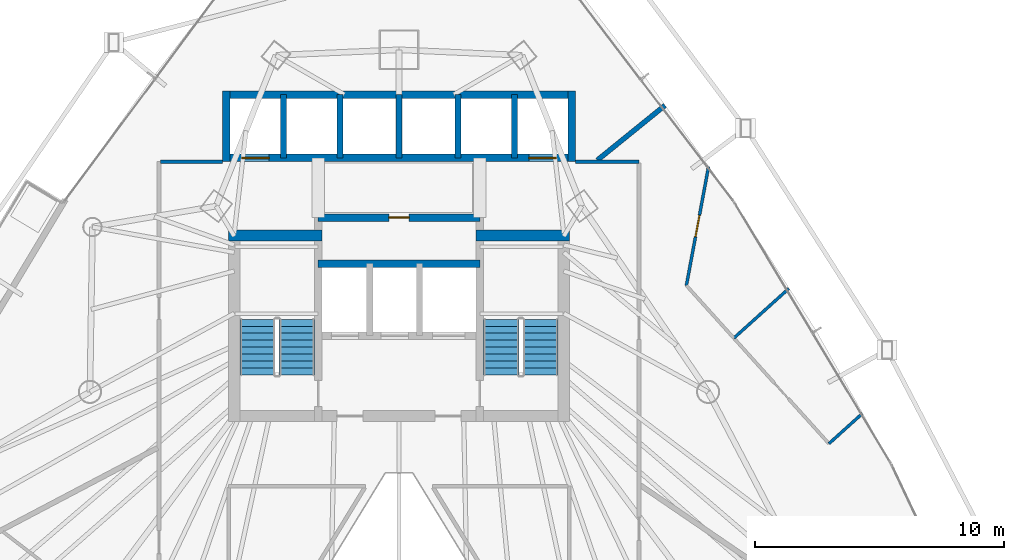
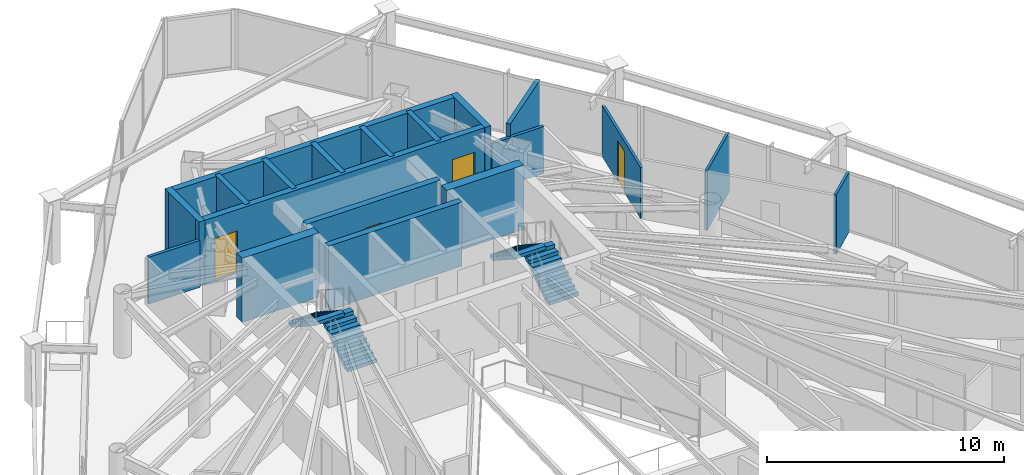
# One storey, part 31 of 34: 19 walls, 4 doors, 4 stair flights, 4 openings, 2 elements without a shape of their own.
"""IFC4 building model written with IfcOpenShell, lengths in metres."""

import ifcopenshell
import ifcopenshell.guid

model = None  # the IFC model being written
_history = None  # IfcOwnerHistory: only IFC2X3 demands one
_inside = {}  # id of a spatial element -> (the spatial element, [elements in it])
_under = {}  # id of a project, library or spatial element -> (it, [spatial elements below it])
_declared = {}  # id of a project -> (the project, [libraries it declares])
_typed = {}  # id of a type object -> (the type object, [elements of that type])
_made_of = {}  # id of a material, layer set ... -> (it, [elements and type objects made of it])


def new_model(schema):
    """Start an empty IFC model of exactly this schema.

    Asked for "IFC4X3", IfcOpenShell would pick the latest addendum, in which some entities
    have other attributes; the version numbers below select the first issue.
    IFC2X3 requires an IfcOwnerHistory on every rooted entity: one is made here for all.
    """
    global model, _history
    if schema == "IFC4X3":
        model = ifcopenshell.file(schema_version=(4, 3, 0, 0))
    else:
        model = ifcopenshell.file(schema=schema)
    _inside.clear()
    _under.clear()
    _declared.clear()
    _typed.clear()
    _made_of.clear()
    _history = None
    if model.schema == "IFC2X3":
        org = make("IfcOrganization", Name="unknown")
        user = make(
            "IfcPersonAndOrganization",
            ThePerson=make("IfcPerson", FamilyName="unknown"),
            TheOrganization=org,
        )
        app = make(
            "IfcApplication",
            ApplicationDeveloper=org,
            Version="unknown",
            ApplicationFullName="unknown",
            ApplicationIdentifier="unknown",
        )
        _history = make(
            "IfcOwnerHistory",
            OwningUser=user,
            OwningApplication=app,
            ChangeAction="ADDED",
            CreationDate=0,
        )
    return model


def make(cls, **values):
    """One entity of the class cls with the attributes given. An attribute that is None is left unset."""
    return model.create_entity(
        cls, **{name: value for name, value in values.items() if value is not None}
    )


def rooted(cls, **values):
    """An entity with a GlobalId (a new one), such as an element, a storey or a relation."""
    return make(cls, GlobalId=ifcopenshell.guid.new(), OwnerHistory=_history, **values)


def si_unit(unit_type, name, prefix=None):
    """IfcSIUnit, for example si_unit("LENGTHUNIT", "METRE", prefix="MILLI")."""
    return make("IfcSIUnit", UnitType=unit_type, Prefix=prefix, Name=name)


def assignment(units):
    """IfcUnitAssignment: the units of a project."""
    return None if units is None else make("IfcUnitAssignment", Units=units)


def point(xyz):
    """IfcCartesianPoint."""
    return None if xyz is None else make("IfcCartesianPoint", Coordinates=xyz)


def direction(xyz):
    """IfcDirection."""
    return None if xyz is None else make("IfcDirection", DirectionRatios=xyz)


def frame(location, z_axis=None, x_axis=None):
    """IfcAxis2Placement3D, a coordinate frame: its origin and axes. An axis left out is left unset."""
    return make(
        "IfcAxis2Placement3D",
        Location=point(location),
        Axis=direction(z_axis),
        RefDirection=direction(x_axis),
    )


def frame_2d(location, x_axis=None):
    """IfcAxis2Placement2D, a coordinate frame in the plane: its origin and x axis."""
    return make(
        "IfcAxis2Placement2D", Location=point(location), RefDirection=direction(x_axis)
    )


def origin():
    """The frame at (0, 0, 0) with its axes left unset."""
    return frame((0.0, 0.0, 0.0))


def place(relative_to, where):
    """IfcLocalPlacement: puts the frame where relative to a parent placement (None: the world)."""
    return make(
        "IfcLocalPlacement", PlacementRelTo=relative_to, RelativePlacement=where
    )


def context(
    kind, dimensions, precision=None, world=None, true_north=None, identifier=None
):
    """IfcGeometricRepresentationContext, for example the 3D "Model" context."""
    return make(
        "IfcGeometricRepresentationContext",
        ContextIdentifier=identifier,
        ContextType=kind,
        CoordinateSpaceDimension=dimensions,
        Precision=precision,
        WorldCoordinateSystem=world,
        TrueNorth=true_north,
    )


def subcontext(parent, identifier, kind, view, scale=None):
    """IfcGeometricRepresentationSubContext, for example "Body" below "Model"."""
    return make(
        "IfcGeometricRepresentationSubContext",
        ContextIdentifier=identifier,
        ContextType=kind,
        ParentContext=parent,
        TargetScale=scale,
        TargetView=view,
    )


def project(units=None, contexts=None):
    """IfcProject with its units and contexts."""
    return rooted(
        "IfcProject",
        Name="project",
        RepresentationContexts=contexts,
        UnitsInContext=assignment(units),
    )


def spatial(cls, under=None, at=None, **own):
    """A site, building, storey or space (cls), placed at a placement, below another one or the project."""
    s = rooted(cls, ObjectPlacement=at, **own)
    if under is not None:
        _under.setdefault(under.id(), (under, []))[1].append(s)
    return s


def polyline(points):
    """IfcPolyline through the points."""
    return make("IfcPolyline", Points=[point(p) for p in points])


def profile(cls, at=None, kind="AREA", **sizes):
    """A parametric profile (cls). Its sizes go by their IFC names, for example OverallWidth=200.0."""
    return make(cls, ProfileType=kind, Position=at, **sizes)


def rectangle(**sizes):
    """IfcRectangleProfileDef."""
    return profile("IfcRectangleProfileDef", **sizes)


def outline(outer, holes=None, kind="AREA"):
    """IfcArbitraryClosedProfileDef: a profile drawn as a closed curve; with holes, ...WithVoids."""
    if holes is None:
        return make("IfcArbitraryClosedProfileDef", ProfileType=kind, OuterCurve=outer)
    return make(
        "IfcArbitraryProfileDefWithVoids",
        ProfileType=kind,
        OuterCurve=outer,
        InnerCurves=holes,
    )


def extrude(swept, where, along, depth):
    """IfcExtrudedAreaSolid: the profile swept, set in the frame where, extruded along a direction by depth."""
    return make(
        "IfcExtrudedAreaSolid",
        SweptArea=swept,
        Position=where,
        ExtrudedDirection=direction(along),
        Depth=depth,
    )


def shape(context_of_items, identifier, shape_type, items):
    """IfcShapeRepresentation: the items that make up one representation, for example the "Body"."""
    return make(
        "IfcShapeRepresentation",
        ContextOfItems=context_of_items,
        RepresentationIdentifier=identifier,
        RepresentationType=shape_type,
        Items=items,
    )


def material(Name=None, Category=None):
    """IfcMaterial."""
    return make("IfcMaterial", Name=Name, Category=Category)


def layer(
    of_material, thickness, ventilated=None, Name=None, Category=None, Priority=None
):
    """IfcMaterialLayer: one layer of a wall or slab, of a material (None: an air gap)."""
    return make(
        "IfcMaterialLayer",
        Material=of_material,
        LayerThickness=thickness,
        IsVentilated=ventilated,
        Name=Name,
        Category=Category,
        Priority=Priority,
    )


def layer_set(layers, Name=None):
    """IfcMaterialLayerSet."""
    return make("IfcMaterialLayerSet", MaterialLayers=layers, LayerSetName=Name)


def made_of(thing, what):
    """Note that an element or type object is made of a material, layer set ...; save() writes the relation."""
    if what is not None:
        _made_of.setdefault(what.id(), (what, []))[1].append(thing)
    return thing


def type_object(cls, material=None, **own):
    """A type object (cls), such as IfcWallType, which elements share."""
    return made_of(rooted(cls, **own), material)


def element(
    cls,
    number,
    at=None,
    inside=None,
    cuts=None,
    type_object=None,
    material=None,
    context=None,
    identifier="Body",
    shape_type=None,
    held_by="IfcProductDefinitionShape",
    body=None,
    shapes=None,
    **own,
):
    """One element of the class cls, such as IfcWall. Its Tag is "e" and its number.

    at: its placement. inside: the storey or other place that contains it. cuts: it is an
    opening in that element (IfcRelVoidsElement). A single representation is given by context,
    identifier, shape_type and body (its items); several are given by shapes. held_by: the class
    of the entity that holds the representations. save() writes the other relations.
    """
    e = rooted(cls, Tag="e%d" % number, ObjectPlacement=at, **own)
    if body is not None:
        shapes = [shape(context, identifier, shape_type, body)]
    if shapes is not None:
        e.Representation = make(held_by, Representations=shapes)
    if inside is not None:
        _inside.setdefault(inside.id(), (inside, []))[1].append(e)
    if cuts is not None:
        rooted(
            "IfcRelVoidsElement", RelatingBuildingElement=cuts, RelatedOpeningElement=e
        )
    if type_object is not None:
        _typed.setdefault(type_object.id(), (type_object, []))[1].append(e)
    return made_of(e, material)


def fill(opening, filler):
    """IfcRelFillsElement: the door or window that sits in an opening."""
    return rooted(
        "IfcRelFillsElement",
        RelatingOpeningElement=opening,
        RelatedBuildingElement=filler,
    )


def aggregate(whole, parts):
    """IfcRelAggregates: a whole, such as a stair, and the parts it consists of."""
    return rooted("IfcRelAggregates", RelatingObject=whole, RelatedObjects=parts)


def save(model, path):
    """Write the relations noted so far, then the file.

    IfcRelAggregates (storeys below a building ...), IfcRelContainedInSpatialStructure (elements
    in a storey), IfcRelDefinesByType, IfcRelAssociatesMaterial and IfcRelDeclares: one each for
    every whole, place, type object, material and project.
    """
    for whole, parts in _under.values():
        aggregate(whole, parts)
    for where, things in _inside.values():
        rooted(
            "IfcRelContainedInSpatialStructure",
            RelatedElements=things,
            RelatingStructure=where,
        )
    for kind, things in _typed.values():
        rooted("IfcRelDefinesByType", RelatedObjects=things, RelatingType=kind)
    for what, things in _made_of.values():
        rooted("IfcRelAssociatesMaterial", RelatedObjects=things, RelatingMaterial=what)
    for by, libraries in _declared.values():
        rooted("IfcRelDeclares", RelatingContext=by, RelatedDefinitions=libraries)
    model.write(path)


model = new_model("IFC4")

# Units and contexts
model_context = context("Model", 3, precision=1e-05, world=origin(), true_north=direction((0.0, 1.0)))
body_context = subcontext(model_context, "Body", "Model", "MODEL_VIEW")
ifc_project = project(units=[si_unit("LENGTHUNIT", "METRE"), si_unit("AREAUNIT", "SQUARE_METRE"), si_unit("VOLUMEUNIT", "CUBIC_METRE"), si_unit("PLANEANGLEUNIT", "RADIAN"), si_unit("MASSUNIT", "GRAM", prefix="KILO")], contexts=[model_context])

# Site, building, storey
site_placement = place(None, origin())
site = spatial("IfcSite", under=ifc_project, at=site_placement, CompositionType="ELEMENT")
building_placement = place(site_placement, origin())
building = spatial("IfcBuilding", under=site, at=building_placement, Name="Orvanel Arch Residences", CompositionType="ELEMENT")
storey_placement = place(building_placement, frame((0.0, 0.0, 80.75)))
storey = spatial("IfcBuildingStorey", under=building, at=storey_placement, Name="L22", CompositionType="ELEMENT", Elevation=80.75)

# Walls
ifc_material_1 = material(Name="Concrete N50 (50 MPa)", Category="concrete")
ifc_layer_1 = layer(ifc_material_1, 0.25)
ifc_layer_set_1 = layer_set([ifc_layer_1], Name="Concrete N50 (50 MPa)")
wall_type_1 = type_object("IfcWallType", Name="SW-CORE-250", PredefinedType="SHEAR", material=ifc_layer_set_1)
for number, where, z_axis, x_axis, name in (
    (1, (28.35009765625, 37.050048828125, 0.0), (0.0, 0.0, 1.0), (0.0, 1.0, 0.0), "L22 Passenger Lift Inter-Shaft Wall P13"),
    (2, (30.625, 37.050048828125, 0.0), (0.0, 0.0, 1.0), (0.0, 1.0, 0.0), "L22 Passenger Lift Inter-Shaft Wall P35"),
    (3, (33.0, 37.050048828125, 0.0), (0.0, 0.0, 1.0), (0.0, 1.0, 0.0), "L22 Passenger Lift Inter-Shaft Wall P56"),
    (4, (35.375, 37.050048828125, 0.0), (0.0, 0.0, 1.0), (0.0, 1.0, 0.0), "L22 Passenger Lift Inter-Shaft Wall P64"),
    (5, (37.64990234375, 37.050048828125, 0.0), (0.0, 0.0, 1.0), (0.0, 1.0, 0.0), "L22 Passenger Lift Inter-Shaft Wall P42"),
):
    element("IfcWall", number, at=place(storey_placement, frame(where, z_axis=z_axis, x_axis=x_axis)), inside=storey, type_object=wall_type_1, Name=name, PredefinedType="SHEAR", context=body_context, shape_type="SweptSolid", body=[
        extrude(rectangle(XDim=2.550048828125, YDim=0.25, at=frame_2d((1.27490234375, 0.0))), origin(), (0.0, 0.0, 1.0), 3.300048828125),
    ])
ifc_material_2 = material(Name="Concrete S80 (80 MPa)", Category="concrete")
ifc_layer_2 = layer(ifc_material_2, 0.300048828125)
ifc_layer_set_2 = layer_set([ifc_layer_2], Name="Concrete S80 (80 MPa)")
wall_type_2 = type_object("IfcWallType", Name="SW-CORE-300", PredefinedType="SHEAR", material=ifc_layer_set_2)
wall_1_placement = place(storey_placement, frame((29.75, 32.800048828125, 0.0), z_axis=(0.0, 0.0, 1.0), x_axis=(1.0, 0.0, 0.0)))
element("IfcWall", 6, at=wall_1_placement, inside=storey, type_object=wall_type_2, Name="L22 Emergency Lift Back Core Shear Wall", PredefinedType="SHEAR", context=body_context, shape_type="SweptSolid", body=[
    extrude(rectangle(XDim=6.5, YDim=0.300048828125, at=frame_2d((3.25, 0.0))), origin(), (0.0, 0.0, 1.0), 3.300048828125),
])

# Wall, opening, door
wall_2_placement = place(storey_placement, frame((29.75, 34.64990234375, 0.0), z_axis=(0.0, 0.0, 1.0), x_axis=(1.0, 0.0, 0.0)))
wall_2 = element("IfcWall", 7, at=wall_2_placement, inside=storey, type_object=wall_type_2, Name="L22 Core Service Band North Shear Wall", PredefinedType="SHEAR", context=body_context, shape_type="SweptSolid", body=[
    extrude(rectangle(XDim=6.5, YDim=0.300048828125, at=frame_2d((3.25, 0.0))), origin(), (0.0, 0.0, 1.0), 3.300048828125),
])
opening_1_placement = place(wall_2_placement, frame((2.840087890625, 0.0, 0.0)))
opening_1 = element("IfcOpeningElement", 8, at=opening_1_placement, cuts=wall_2, Name="Opening DS-082", PredefinedType="OPENING", context=body_context, shape_type="SweptSolid", body=[
    extrude(rectangle(XDim=0.820068359375, YDim=2.10009765625, at=frame_2d((0.41015625, 1.050048828125))), frame((0.0, 0.159912109375, 0.0), z_axis=(0.0, -1.0, 0.0), x_axis=(1.0, 0.0, 0.0)), (0.0, 0.0, 1.0), 0.320068359375),
])
ifc_material_3 = material(Name="Galvanised steel fire-resisting door assembly", Category="steel")
door_type_1 = type_object("IfcDoorType", Name="DR-SVC-820", OperationType="NOTDEFINED", PredefinedType="DOOR", material=ifc_material_3)
door_1_placement = place(opening_1_placement, origin())
door_1 = element("IfcDoor", 9, at=door_1_placement, inside=storey, type_object=door_type_1, Name="DR-L22-CSVC-1 L22 Housekeeping Linen Store Door", OperationType="SINGLE_SWING_LEFT", OverallHeight=2.10009765625, OverallWidth=0.820068359375, PredefinedType="DOOR", context=body_context, shape_type="SweptSolid", body=[
    extrude(rectangle(XDim=0.820068359375, YDim=2.10009765625, at=frame_2d((0.41015625, 1.050048828125))), frame((0.0, 0.02490234375, 0.0), z_axis=(0.0, -1.0, 0.0), x_axis=(1.0, 0.0, 0.0)), (0.0, 0.0, 1.0), 0.050048828125),
])
fill(opening_1, door_1)

# Wall, openings, doors
wall_3_placement = place(storey_placement, frame((40.10009765625, 37.050048828125, 0.0), z_axis=(0.0, 0.0, 1.0), x_axis=(-1.0, 0.0, 0.0)))
wall_3 = element("IfcWall", 10, at=wall_3_placement, inside=storey, type_object=wall_type_2, Name="L22 Passenger Lift Bank Front Shear Wall", PredefinedType="SHEAR", context=body_context, shape_type="SweptSolid", body=[
    extrude(rectangle(XDim=14.2001953125, YDim=0.300048828125, at=frame_2d((7.10009765625, 0.0))), origin(), (0.0, 0.0, 1.0), 3.300048828125),
])
opening_2_placement = place(wall_3_placement, frame((12.324951171875, 0.0, 0.0)))
opening_2 = element("IfcOpeningElement", 11, at=opening_2_placement, cuts=wall_3, Name="Opening LD-110", PredefinedType="OPENING", context=body_context, shape_type="SweptSolid", body=[
    extrude(rectangle(XDim=1.10009765625, YDim=2.199951171875, at=frame_2d((0.550048828125, 1.10009765625))), frame((0.0, 0.159912109375, 0.0), z_axis=(0.0, -1.0, 0.0), x_axis=(1.0, 0.0, 0.0)), (0.0, 0.0, 1.0), 0.320068359375),
])
opening_3_placement = place(wall_3_placement, frame((0.77490234375, 0.0, 0.0)))
opening_3 = element("IfcOpeningElement", 12, at=opening_3_placement, cuts=wall_3, Name="Opening LD-110", PredefinedType="OPENING", context=body_context, shape_type="SweptSolid", body=[
    extrude(rectangle(XDim=1.10009765625, YDim=2.199951171875, at=frame_2d((0.550048828125, 1.10009765625))), frame((0.0, 0.159912109375, 0.0), z_axis=(0.0, -1.0, 0.0), x_axis=(1.0, 0.0, 0.0)), (0.0, 0.0, 1.0), 0.320068359375),
])
door_type_2 = type_object("IfcDoorType", Name="DR-LFT-1100", OperationType="NOTDEFINED", PredefinedType="DOOR", material=ifc_material_3)
door_2_placement = place(opening_2_placement, origin())
door_2 = element("IfcDoor", 13, at=door_2_placement, inside=storey, type_object=door_type_2, Name="LD-P1-L22 L22 Passenger Lift P1 Sliding Landing Door", OperationType="DOUBLE_DOOR_SLIDING", OverallHeight=2.199951171875, OverallWidth=1.10009765625, PredefinedType="DOOR", context=body_context, shape_type="SweptSolid", body=[
    extrude(rectangle(XDim=1.10009765625, YDim=2.199951171875, at=frame_2d((0.550048828125, 1.10009765625))), frame((0.0, 0.02490234375, 0.0), z_axis=(0.0, -1.0, 0.0), x_axis=(1.0, 0.0, 0.0)), (0.0, 0.0, 1.0), 0.050048828125),
])
fill(opening_2, door_2)
door_3_placement = place(opening_3_placement, origin())
door_3 = element("IfcDoor", 14, at=door_3_placement, inside=storey, type_object=door_type_2, Name="LD-P2-L22 L22 Passenger Lift P2 Sliding Landing Door", OperationType="DOUBLE_DOOR_SLIDING", OverallHeight=2.199951171875, OverallWidth=1.10009765625, PredefinedType="DOOR", context=body_context, shape_type="SweptSolid", body=[
    extrude(rectangle(XDim=1.10009765625, YDim=2.199951171875, at=frame_2d((0.550048828125, 1.10009765625))), frame((0.0, 0.02490234375, 0.0), z_axis=(0.0, -1.0, 0.0), x_axis=(1.0, 0.0, 0.0)), (0.0, 0.0, 1.0), 0.050048828125),
])
fill(opening_3, door_3)

# Walls
wall_4_placement = place(storey_placement, frame((25.89990234375, 39.60009765625, 0.0), z_axis=(0.0, 0.0, 1.0), x_axis=(1.0, 0.0, 0.0)))
element("IfcWall", 15, at=wall_4_placement, inside=storey, type_object=wall_type_2, Name="L22 Passenger Lift Bank North Shear Wall", PredefinedType="SHEAR", context=body_context, shape_type="SweptSolid", body=[
    extrude(rectangle(XDim=14.2001953125, YDim=0.300048828125, at=frame_2d((7.10009765625, 0.0))), origin(), (0.0, 0.0, 1.0), 3.300048828125),
])
for number, where, z_axis, x_axis, name in (
    (16, (26.050048828125, 36.89990234375, 0.0), (0.0, 0.0, 1.0), (0.0, 1.0, 0.0), "L22 Passenger Lift Bank West Shear Wall"),
    (17, (39.949951171875, 36.89990234375, 0.0), (0.0, 0.0, 1.0), (0.0, 1.0, 0.0), "L22 Passenger Lift Bank East Shear Wall"),
):
    element("IfcWall", number, at=place(storey_placement, frame(where, z_axis=z_axis, x_axis=x_axis)), inside=storey, type_object=wall_type_2, Name=name, PredefinedType="SHEAR", context=body_context, shape_type="SweptSolid", body=[
        extrude(rectangle(XDim=2.85009765625, YDim=0.300048828125, at=frame_2d((1.425048828125, 0.0))), origin(), (0.0, 0.0, 1.0), 3.300048828125),
    ])
ifc_layer_3 = layer(ifc_material_2, 0.449951171875)
ifc_layer_set_3 = layer_set([ifc_layer_3], Name="Concrete S80 (80 MPa)")
wall_type_3 = type_object("IfcWallType", Name="SW-CORE-450", PredefinedType="SHEAR", material=ifc_layer_set_3)
for number, where, z_axis, x_axis, name in (
    (18, (26.14990234375, 33.925048828125, 0.0), (0.0, 0.0, 1.0), (1.0, 0.0, 0.0), "L22 West Stair North Shear Wall"),
    (19, (36.10009765625, 33.925048828125, 0.0), (0.0, 0.0, 1.0), (1.0, 0.0, 0.0), "L22 East Stair North Shear Wall"),
):
    element("IfcWall", number, at=place(storey_placement, frame(where, z_axis=z_axis, x_axis=x_axis)), inside=storey, type_object=wall_type_3, Name=name, PredefinedType="SHEAR", context=body_context, shape_type="SweptSolid", body=[
        extrude(rectangle(XDim=3.75, YDim=0.449951171875, at=frame_2d((1.875, 0.0))), origin(), (0.0, 0.0, 1.0), 3.300048828125),
    ])
ifc_material_4 = material(Name="Fire-rated plasterboard lined steel stud partition", Category="steel")
ifc_layer_4 = layer(ifc_material_4, 0.14990234375)
ifc_layer_set_4 = layer_set([ifc_layer_4], Name="Fire-rated plasterboard lined steel stud partition")
wall_type_4 = type_object("IfcWallType", Name="W-COR-150", PredefinedType="PARTITIONING", material=ifc_layer_set_4)
wall_5_placement = place(storey_placement, frame((40.10009765625, 36.89990234375, 0.0), z_axis=(0.0, 0.0, 1.0), x_axis=(1.0, 0.0, 0.0)))
element("IfcWall", 20, at=wall_5_placement, inside=storey, type_object=wall_type_4, Name="L22 Corridor Fire-Rated Partition", PredefinedType="PARTITIONING", context=body_context, shape_type="SweptSolid", body=[
    extrude(rectangle(XDim=2.5498046875, YDim=0.14990234375, at=frame_2d((1.27490234375, 0.0))), origin(), (0.0, 0.0, 1.0), 2.4130859375),
])
wall_6_placement = place(storey_placement, frame((23.409912109375, 36.89990234375, 0.0), z_axis=(0.0, 0.0, 1.0), x_axis=(1.0, 0.0, 0.0)))
element("IfcWall", 21, at=wall_6_placement, inside=storey, type_object=wall_type_4, Name="L22 Corridor Fire-Rated Partition", PredefinedType="PARTITIONING", context=body_context, shape_type="SweptSolid", body=[
    extrude(rectangle(XDim=2.489990234375, YDim=0.14990234375, at=frame_2d((1.2451171875, 0.0))), origin(), (0.0, 0.0, 1.0), 2.4130859375),
])
ifc_layer_5 = layer(ifc_material_4, 0.199951171875)
ifc_layer_set_5 = layer_set([ifc_layer_5], Name="Fire-rated plasterboard lined steel stud partition")
wall_type_5 = type_object("IfcWallType", Name="W-DEM-200", PredefinedType="PARTITIONING", material=ifc_layer_set_5)
wall_7_placement = place(storey_placement, frame((43.694091796875, 39.159912109375, 0.0), z_axis=(0.0, 0.0, 1.0), x_axis=(-0.777183068613, -0.629274564765, 0.0)))
element("IfcWall", 22, at=wall_7_placement, inside=storey, type_object=wall_type_5, Name="L22 Inter-Tenancy Acoustic Demising Wall", PredefinedType="PARTITIONING", context=body_context, shape_type="SweptSolid", body=[
    extrude(rectangle(XDim=3.49609375, YDim=0.199951171875, at=frame_2d((1.748046875, 0.0))), origin(), (0.0, 0.0, 1.0), 3.06005859375),
])
ifc_material_5 = material(Name="Acoustic plasterboard lined twin-stud partition", Category="gypsum")
ifc_layer_6 = layer(ifc_material_5, 0.1201171875)
ifc_layer_set_6 = layer_set([ifc_layer_6], Name="Acoustic plasterboard lined twin-stud partition")
wall_type_6 = type_object("IfcWallType", Name="W-WET-120", PredefinedType="PARTITIONING", material=ifc_layer_set_6)
wall_8_placement = place(storey_placement, frame((50.291015625, 25.55908203125, 0.0), z_axis=(0.0, 0.0, 1.0), x_axis=(0.742845405041, 0.669462996894, 0.0)))
element("IfcWall", 23, at=wall_8_placement, inside=storey, type_object=wall_type_6, Name="L22 Studio C Bathroom Partition", PredefinedType="PARTITIONING", context=body_context, shape_type="SweptSolid", body=[
    extrude(rectangle(XDim=1.813232421875, YDim=0.1201171875, at=frame_2d((0.90673828125, 0.0))), origin(), (0.0, 0.0, 1.0), 3.06005859375),
])

# Wall, opening, door
wall_9_placement = place(storey_placement, frame((45.449951171875, 36.702880859375, 0.0), z_axis=(0.0, 0.0, 1.0), x_axis=(-0.183267636936, -0.9830630566, 0.0)))
wall_9 = element("IfcWall", 24, at=wall_9_placement, inside=storey, type_object=wall_type_6, Name="L22 Studio C Internal Partition", PredefinedType="PARTITIONING", context=body_context, shape_type="SweptSolid", body=[
    extrude(rectangle(XDim=4.866455078125, YDim=0.1201171875, at=frame_2d((2.43310546875, 0.0))), origin(), (0.0, 0.0, 1.0), 2.618896484375),
])
opening_4_placement = place(wall_9_placement, frame((1.992919921875, 0.0, 0.0)))
opening_4 = element("IfcOpeningElement", 25, at=opening_4_placement, cuts=wall_9, Name="Opening DI-088", PredefinedType="OPENING", context=body_context, shape_type="SweptSolid", body=[
    extrude(rectangle(XDim=0.8798828125, YDim=2.10009765625, at=frame_2d((0.43994140625, 1.050048828125))), frame((0.0, 0.070068359375, 0.0), z_axis=(0.0, -1.0, 0.0), x_axis=(1.0, 0.0, 0.0)), (0.0, 0.0, 1.0), 0.14013671875),
])
ifc_material_6 = material(Name="Solid-core European oak veneer fire door leaf", Category="wood")
door_type_3 = type_object("IfcDoorType", Name="DR-INT-880", OperationType="NOTDEFINED", PredefinedType="DOOR", material=ifc_material_6)
door_4_placement = place(opening_4_placement, origin())
door_4 = element("IfcDoor", 26, at=door_4_placement, inside=storey, type_object=door_type_3, Name="DR-L22-C-KIT L22 Studio C Kitchenette Door", OperationType="SINGLE_SWING_LEFT", OverallHeight=2.10009765625, OverallWidth=0.8798828125, PredefinedType="DOOR", context=body_context, shape_type="SweptSolid", body=[
    extrude(rectangle(XDim=0.8798828125, YDim=2.10009765625, at=frame_2d((0.43994140625, 1.050048828125))), frame((0.0, 0.02490234375, 0.0), z_axis=(0.0, -1.0, 0.0), x_axis=(1.0, 0.0, 0.0)), (0.0, 0.0, 1.0), 0.050048828125),
])
fill(opening_4, door_4)

# Wall
wall_10_placement = place(storey_placement, frame((46.466064453125, 29.802978515625, 0.0), z_axis=(0.0, 0.0, 1.0), x_axis=(0.742837964983, 0.669471252392, 0.0)))
element("IfcWall", 27, at=wall_10_placement, inside=storey, type_object=wall_type_6, Name="L22 Studio C Bathroom Partition", PredefinedType="PARTITIONING", context=body_context, shape_type="SweptSolid", body=[
    extrude(rectangle(XDim=2.981689453125, YDim=0.1201171875, at=frame_2d((1.49072265625, 0.0))), origin(), (0.0, 0.0, 1.0), 3.06005859375),
])

# Stair, stair flights
ifc_material_7 = material(Name="Precast concrete N50 (50 MPa)", Category="concrete")
stair_type = type_object("IfcStairType", Name="STR-DOG-184", PredefinedType="USERDEFINED", material=ifc_material_7)
stair_1_placement = place(storey_placement, origin())
stair_1 = element("IfcStair", 28, at=stair_1_placement, inside=storey, type_object=stair_type, Name="L22 Fire-Isolated Core Exit Stair 1", ObjectType="TWO_RETURN_STAIR", PredefinedType="USERDEFINED")
stair_flight_type_1 = type_object("IfcStairFlightType", Name="SFL-C1-184", PredefinedType="STRAIGHT", material=ifc_material_7)
stair_flight_1_placement = place(storey_placement, frame((28.889892578125, 28.320068359375, 0.0), z_axis=(0.0, 0.0, 1.0), x_axis=(0.0, 1.0, 0.0)))
stair_flight_1 = element("IfcStairFlight", 29, at=stair_flight_1_placement, type_object=stair_flight_type_1, Name="ST-1 flight 1", NumberOfRisers=9, NumberOfTreads=8, PredefinedType="STRAIGHT", RiserHeight=0.183333333, TreadLength=0.28, context=body_context, shape_type="SweptSolid", body=[
    extrude(outline(polyline([(0.0, 0.0), (0.0, 0.183349609375), (0.280029296875, 0.183349609375), (0.280029296875, 0.36669921875), (0.56005859375, 0.36669921875), (0.56005859375, 0.550048828125), (0.840087890625, 0.550048828125), (0.840087890625, 0.7333984375), (1.1201171875, 0.7333984375), (1.1201171875, 0.916748046875), (1.39990234375, 0.916748046875), (1.39990234375, 1.10009765625), (1.679931640625, 1.10009765625), (1.679931640625, 1.283447265625), (1.9599609375, 1.283447265625), (1.9599609375, 1.466552734375), (2.239990234375, 1.466552734375), (2.239990234375, 1.64990234375), (2.239990234375, 1.28759765625), (0.273681640625, 0.0), (0.0, 0.0)])), frame((0.0, 0.7099609375, 0.0), z_axis=(0.0, -1.0, 0.0), x_axis=(1.0, 0.0, 0.0)), (0.0, 0.0, 1.0), 1.419921875),
])
stair_flight_2_placement = place(storey_placement, frame((27.31005859375, 30.56005859375, 1.64990234375), z_axis=(0.0, 0.0, 1.0), x_axis=(0.0, -1.0, 0.0)))
stair_flight_2 = element("IfcStairFlight", 30, at=stair_flight_2_placement, type_object=stair_flight_type_1, Name="ST-1 flight 2", NumberOfRisers=9, NumberOfTreads=8, PredefinedType="STRAIGHT", RiserHeight=0.183333333, TreadLength=0.28, context=body_context, shape_type="SweptSolid", body=[
    extrude(outline(polyline([(0.0, 0.0), (0.0, 0.183349609375), (0.280029296875, 0.183349609375), (0.280029296875, 0.36669921875), (0.56005859375, 0.36669921875), (0.56005859375, 0.550048828125), (0.840087890625, 0.550048828125), (0.840087890625, 0.7333984375), (1.1201171875, 0.7333984375), (1.1201171875, 0.916748046875), (1.39990234375, 0.916748046875), (1.39990234375, 1.10009765625), (1.679931640625, 1.10009765625), (1.679931640625, 1.283447265625), (1.9599609375, 1.283447265625), (1.9599609375, 1.466552734375), (2.239990234375, 1.466552734375), (2.239990234375, 1.64990234375), (2.239990234375, 1.28759765625), (0.273681640625, 0.0), (0.0, 0.0)])), frame((0.0, 0.7099609375, 0.0), z_axis=(0.0, -1.0, 0.0), x_axis=(1.0, 0.0, 0.0)), (0.0, 0.0, 1.0), 1.419921875),
])
aggregate(stair_1, [stair_flight_1, stair_flight_2])

stair_2_placement = place(storey_placement, origin())
stair_2 = element("IfcStair", 31, at=stair_2_placement, inside=storey, type_object=stair_type, Name="L22 Fire-Isolated Core Exit Stair 2", ObjectType="TWO_RETURN_STAIR", PredefinedType="USERDEFINED")
stair_flight_type_2 = type_object("IfcStairFlightType", Name="SFL-C2-184", PredefinedType="STRAIGHT", material=ifc_material_7)
stair_flight_3_placement = place(storey_placement, frame((38.68994140625, 28.320068359375, 0.0), z_axis=(0.0, 0.0, 1.0), x_axis=(0.0, 1.0, 0.0)))
stair_flight_3 = element("IfcStairFlight", 32, at=stair_flight_3_placement, type_object=stair_flight_type_2, Name="ST-2 flight 1", NumberOfRisers=9, NumberOfTreads=8, PredefinedType="STRAIGHT", RiserHeight=0.183333333, TreadLength=0.28, context=body_context, shape_type="SweptSolid", body=[
    extrude(outline(polyline([(0.0, 0.0), (0.0, 0.183349609375), (0.280029296875, 0.183349609375), (0.280029296875, 0.36669921875), (0.56005859375, 0.36669921875), (0.56005859375, 0.550048828125), (0.840087890625, 0.550048828125), (0.840087890625, 0.7333984375), (1.1201171875, 0.7333984375), (1.1201171875, 0.916748046875), (1.39990234375, 0.916748046875), (1.39990234375, 1.10009765625), (1.679931640625, 1.10009765625), (1.679931640625, 1.283447265625), (1.9599609375, 1.283447265625), (1.9599609375, 1.466552734375), (2.239990234375, 1.466552734375), (2.239990234375, 1.64990234375), (2.239990234375, 1.28759765625), (0.273681640625, 0.0), (0.0, 0.0)])), frame((0.0, 0.7099609375, 0.0), z_axis=(0.0, -1.0, 0.0), x_axis=(1.0, 0.0, 0.0)), (0.0, 0.0, 1.0), 1.419921875),
])
stair_flight_4_placement = place(storey_placement, frame((37.110107421875, 30.56005859375, 1.64990234375), z_axis=(0.0, 0.0, 1.0), x_axis=(0.0, -1.0, 0.0)))
stair_flight_4 = element("IfcStairFlight", 33, at=stair_flight_4_placement, type_object=stair_flight_type_2, Name="ST-2 flight 2", NumberOfRisers=9, NumberOfTreads=8, PredefinedType="STRAIGHT", RiserHeight=0.183333333, TreadLength=0.28, context=body_context, shape_type="SweptSolid", body=[
    extrude(outline(polyline([(0.0, 0.0), (0.0, 0.183349609375), (0.280029296875, 0.183349609375), (0.280029296875, 0.36669921875), (0.56005859375, 0.36669921875), (0.56005859375, 0.550048828125), (0.840087890625, 0.550048828125), (0.840087890625, 0.7333984375), (1.1201171875, 0.7333984375), (1.1201171875, 0.916748046875), (1.39990234375, 0.916748046875), (1.39990234375, 1.10009765625), (1.679931640625, 1.10009765625), (1.679931640625, 1.283447265625), (1.9599609375, 1.283447265625), (1.9599609375, 1.466552734375), (2.239990234375, 1.466552734375), (2.239990234375, 1.64990234375), (2.239990234375, 1.28759765625), (0.273681640625, 0.0), (0.0, 0.0)])), frame((0.0, 0.7099609375, 0.0), z_axis=(0.0, -1.0, 0.0), x_axis=(1.0, 0.0, 0.0)), (0.0, 0.0, 1.0), 1.419921875),
])
aggregate(stair_2, [stair_flight_3, stair_flight_4])

save(model, "model.ifc")
